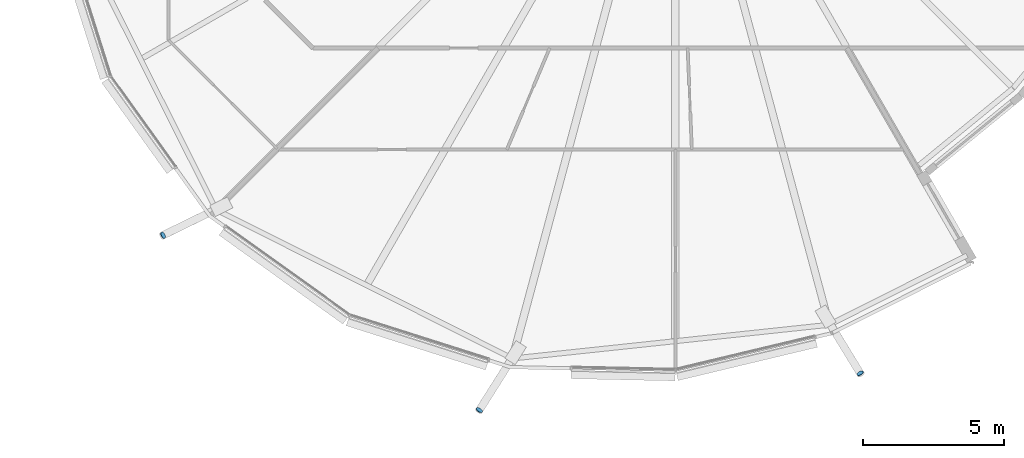
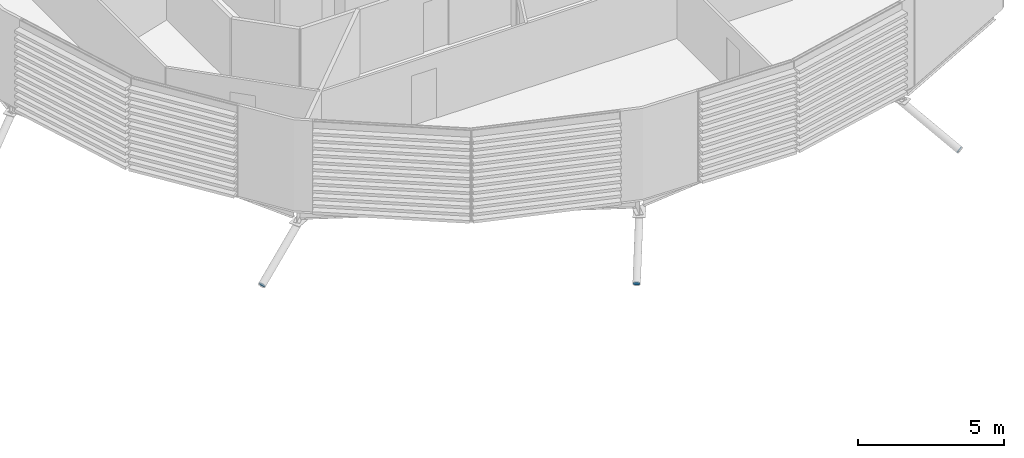
# One storey, part 31 of 38: 3 discrete accessories.
"""IFC4 building model written with IfcOpenShell, lengths in metres."""

import ifcopenshell
import ifcopenshell.guid

model = None  # the IFC model being written
_history = None  # IfcOwnerHistory: only IFC2X3 demands one
_inside = {}  # id of a spatial element -> (the spatial element, [elements in it])
_under = {}  # id of a project, library or spatial element -> (it, [spatial elements below it])
_declared = {}  # id of a project -> (the project, [libraries it declares])
_typed = {}  # id of a type object -> (the type object, [elements of that type])
_made_of = {}  # id of a material, layer set ... -> (it, [elements and type objects made of it])


def new_model(schema):
    """Start an empty IFC model of exactly this schema.

    Asked for "IFC4X3", IfcOpenShell would pick the latest addendum, in which some entities
    have other attributes; the version numbers below select the first issue.
    IFC2X3 requires an IfcOwnerHistory on every rooted entity: one is made here for all.
    """
    global model, _history
    if schema == "IFC4X3":
        model = ifcopenshell.file(schema_version=(4, 3, 0, 0))
    else:
        model = ifcopenshell.file(schema=schema)
    _inside.clear()
    _under.clear()
    _declared.clear()
    _typed.clear()
    _made_of.clear()
    _history = None
    if model.schema == "IFC2X3":
        org = make("IfcOrganization", Name="unknown")
        user = make(
            "IfcPersonAndOrganization",
            ThePerson=make("IfcPerson", FamilyName="unknown"),
            TheOrganization=org,
        )
        app = make(
            "IfcApplication",
            ApplicationDeveloper=org,
            Version="unknown",
            ApplicationFullName="unknown",
            ApplicationIdentifier="unknown",
        )
        _history = make(
            "IfcOwnerHistory",
            OwningUser=user,
            OwningApplication=app,
            ChangeAction="ADDED",
            CreationDate=0,
        )
    return model


def make(cls, **values):
    """One entity of the class cls with the attributes given. An attribute that is None is left unset."""
    return model.create_entity(
        cls, **{name: value for name, value in values.items() if value is not None}
    )


def rooted(cls, **values):
    """An entity with a GlobalId (a new one), such as an element, a storey or a relation."""
    return make(cls, GlobalId=ifcopenshell.guid.new(), OwnerHistory=_history, **values)


def si_unit(unit_type, name, prefix=None):
    """IfcSIUnit, for example si_unit("LENGTHUNIT", "METRE", prefix="MILLI")."""
    return make("IfcSIUnit", UnitType=unit_type, Prefix=prefix, Name=name)


def assignment(units):
    """IfcUnitAssignment: the units of a project."""
    return None if units is None else make("IfcUnitAssignment", Units=units)


def point(xyz):
    """IfcCartesianPoint."""
    return None if xyz is None else make("IfcCartesianPoint", Coordinates=xyz)


def direction(xyz):
    """IfcDirection."""
    return None if xyz is None else make("IfcDirection", DirectionRatios=xyz)


def frame(location, z_axis=None, x_axis=None):
    """IfcAxis2Placement3D, a coordinate frame: its origin and axes. An axis left out is left unset."""
    return make(
        "IfcAxis2Placement3D",
        Location=point(location),
        Axis=direction(z_axis),
        RefDirection=direction(x_axis),
    )


def frame_2d(location, x_axis=None):
    """IfcAxis2Placement2D, a coordinate frame in the plane: its origin and x axis."""
    return make(
        "IfcAxis2Placement2D", Location=point(location), RefDirection=direction(x_axis)
    )


def origin():
    """The frame at (0, 0, 0) with its axes left unset."""
    return frame((0.0, 0.0, 0.0))


def origin_2d():
    """The frame at (0, 0) in the plane with its x axis left unset."""
    return frame_2d((0.0, 0.0))


def place(relative_to, where):
    """IfcLocalPlacement: puts the frame where relative to a parent placement (None: the world)."""
    return make(
        "IfcLocalPlacement", PlacementRelTo=relative_to, RelativePlacement=where
    )


def context(
    kind, dimensions, precision=None, world=None, true_north=None, identifier=None
):
    """IfcGeometricRepresentationContext, for example the 3D "Model" context."""
    return make(
        "IfcGeometricRepresentationContext",
        ContextIdentifier=identifier,
        ContextType=kind,
        CoordinateSpaceDimension=dimensions,
        Precision=precision,
        WorldCoordinateSystem=world,
        TrueNorth=true_north,
    )


def subcontext(parent, identifier, kind, view, scale=None):
    """IfcGeometricRepresentationSubContext, for example "Body" below "Model"."""
    return make(
        "IfcGeometricRepresentationSubContext",
        ContextIdentifier=identifier,
        ContextType=kind,
        ParentContext=parent,
        TargetScale=scale,
        TargetView=view,
    )


def project(units=None, contexts=None):
    """IfcProject with its units and contexts."""
    return rooted(
        "IfcProject",
        Name="project",
        RepresentationContexts=contexts,
        UnitsInContext=assignment(units),
    )


def spatial(cls, under=None, at=None, **own):
    """A site, building, storey or space (cls), placed at a placement, below another one or the project."""
    s = rooted(cls, ObjectPlacement=at, **own)
    if under is not None:
        _under.setdefault(under.id(), (under, []))[1].append(s)
    return s


def profile(cls, at=None, kind="AREA", **sizes):
    """A parametric profile (cls). Its sizes go by their IFC names, for example OverallWidth=200.0."""
    return make(cls, ProfileType=kind, Position=at, **sizes)


def circle(**sizes):
    """IfcCircleProfileDef."""
    return profile("IfcCircleProfileDef", **sizes)


def extrude(swept, where, along, depth):
    """IfcExtrudedAreaSolid: the profile swept, set in the frame where, extruded along a direction by depth."""
    return make(
        "IfcExtrudedAreaSolid",
        SweptArea=swept,
        Position=where,
        ExtrudedDirection=direction(along),
        Depth=depth,
    )


def shape(context_of_items, identifier, shape_type, items):
    """IfcShapeRepresentation: the items that make up one representation, for example the "Body"."""
    return make(
        "IfcShapeRepresentation",
        ContextOfItems=context_of_items,
        RepresentationIdentifier=identifier,
        RepresentationType=shape_type,
        Items=items,
    )


def material(Name=None, Category=None):
    """IfcMaterial."""
    return make("IfcMaterial", Name=Name, Category=Category)


def material_profile(
    of_material, cross_section, Name=None, Category=None, Priority=None
):
    """IfcMaterialProfile: a cross section and its material."""
    return make(
        "IfcMaterialProfile",
        Name=Name,
        Material=of_material,
        Profile=cross_section,
        Priority=Priority,
        Category=Category,
    )


def profile_set(profiles, Name=None, composite=None):
    """IfcMaterialProfileSet."""
    return make(
        "IfcMaterialProfileSet",
        Name=Name,
        MaterialProfiles=profiles,
        CompositeProfile=composite,
    )


def made_of(thing, what):
    """Note that an element or type object is made of a material, layer set ...; save() writes the relation."""
    if what is not None:
        _made_of.setdefault(what.id(), (what, []))[1].append(thing)
    return thing


def type_object(cls, material=None, **own):
    """A type object (cls), such as IfcWallType, which elements share."""
    return made_of(rooted(cls, **own), material)


def element(
    cls,
    number,
    at=None,
    inside=None,
    cuts=None,
    type_object=None,
    material=None,
    context=None,
    identifier="Body",
    shape_type=None,
    held_by="IfcProductDefinitionShape",
    body=None,
    shapes=None,
    **own,
):
    """One element of the class cls, such as IfcWall. Its Tag is "e" and its number.

    at: its placement. inside: the storey or other place that contains it. cuts: it is an
    opening in that element (IfcRelVoidsElement). A single representation is given by context,
    identifier, shape_type and body (its items); several are given by shapes. held_by: the class
    of the entity that holds the representations. save() writes the other relations.
    """
    e = rooted(cls, Tag="e%d" % number, ObjectPlacement=at, **own)
    if body is not None:
        shapes = [shape(context, identifier, shape_type, body)]
    if shapes is not None:
        e.Representation = make(held_by, Representations=shapes)
    if inside is not None:
        _inside.setdefault(inside.id(), (inside, []))[1].append(e)
    if cuts is not None:
        rooted(
            "IfcRelVoidsElement", RelatingBuildingElement=cuts, RelatedOpeningElement=e
        )
    if type_object is not None:
        _typed.setdefault(type_object.id(), (type_object, []))[1].append(e)
    return made_of(e, material)


def aggregate(whole, parts):
    """IfcRelAggregates: a whole, such as a stair, and the parts it consists of."""
    return rooted("IfcRelAggregates", RelatingObject=whole, RelatedObjects=parts)


def save(model, path):
    """Write the relations noted so far, then the file.

    IfcRelAggregates (storeys below a building ...), IfcRelContainedInSpatialStructure (elements
    in a storey), IfcRelDefinesByType, IfcRelAssociatesMaterial and IfcRelDeclares: one each for
    every whole, place, type object, material and project.
    """
    for whole, parts in _under.values():
        aggregate(whole, parts)
    for where, things in _inside.values():
        rooted(
            "IfcRelContainedInSpatialStructure",
            RelatedElements=things,
            RelatingStructure=where,
        )
    for kind, things in _typed.values():
        rooted("IfcRelDefinesByType", RelatedObjects=things, RelatingType=kind)
    for what, things in _made_of.values():
        rooted("IfcRelAssociatesMaterial", RelatedObjects=things, RelatingMaterial=what)
    for by, libraries in _declared.values():
        rooted("IfcRelDeclares", RelatingContext=by, RelatedDefinitions=libraries)
    model.write(path)


model = new_model("IFC4")

# Units and contexts
model_context = context("Model", 3, precision=1e-05, world=origin(), true_north=direction((0.0, 1.0)))
body_context = subcontext(model_context, "Body", "Model", "MODEL_VIEW")
ifc_project = project(units=[si_unit("LENGTHUNIT", "METRE"), si_unit("AREAUNIT", "SQUARE_METRE"), si_unit("VOLUMEUNIT", "CUBIC_METRE"), si_unit("PLANEANGLEUNIT", "RADIAN"), si_unit("MASSUNIT", "GRAM", prefix="KILO")], contexts=[model_context])

# Site, building, storey
site_placement = place(None, origin())
site = spatial("IfcSite", under=ifc_project, at=site_placement, CompositionType="ELEMENT")
building_placement = place(site_placement, origin())
building = spatial("IfcBuilding", under=site, at=building_placement, Name="Rimbun Link Towers", CompositionType="ELEMENT")
storey_placement = place(building_placement, frame((0.0, 0.0, 108.199951171875)))
storey = spatial("IfcBuildingStorey", under=building, at=storey_placement, Name="L26", CompositionType="ELEMENT", Elevation=108.199951171875)

# Discrete accessories
ifc_material = material(Name="Steel S355J2H", Category="steel")
ifc_material_profile = material_profile(ifc_material, circle(Radius=0.1240234375, at=origin_2d()), Name="PL D248")
ifc_profile_set = profile_set([ifc_material_profile], Name="Steel S355J2H")
discrete_accessory_type = type_object("IfcDiscreteAccessoryType", Name="Link foot sealing plate D248X20", PredefinedType="BRACKET", material=ifc_profile_set)
discrete_accessory_placement = place(storey_placement, frame((13.58837890625, -17.184814453125, -2.12646484375), z_axis=(-0.77483096951, -0.381266032616, -0.504255075395), x_axis=(0.441507651219, -0.897257484736, 0.0)))
element("IfcDiscreteAccessory", 1, at=discrete_accessory_placement, inside=storey, type_object=discrete_accessory_type, Name="Link foot sealing plate T2 L26 12", PredefinedType="BRACKET", context=body_context, shape_type="SweptSolid", body=[
    extrude(circle(Radius=0.1240234375, at=origin_2d()), origin(), (0.0, 0.0, 1.0), 0.019775390625),
])
for number, where, z_axis, x_axis, name in (
    (2, (24.802490234375, -23.3837890625, -2.230712890625), (-0.47423643072, -0.741754417281, -0.47423643072), (0.842522148763, -0.538661701668, 0.0), "Link foot sealing plate T2 L26 14"),
    (3, (38.29931640625, -22.075927734375, -2.17041015625), (0.462008213197, -0.74164476329, -0.486324434944), (0.848779090136, 0.528747629921, 0.0), "Link foot sealing plate T2 L26 16"),
):
    element("IfcDiscreteAccessory", number, at=place(storey_placement, frame(where, z_axis=z_axis, x_axis=x_axis)), inside=storey, type_object=discrete_accessory_type, Name=name, PredefinedType="BRACKET", context=body_context, shape_type="SweptSolid", body=[
        extrude(circle(Radius=0.1240234375, at=origin_2d()), origin(), (0.0, 0.0, 1.0), 0.02001953125),
    ])

save(model, "model.ifc")
